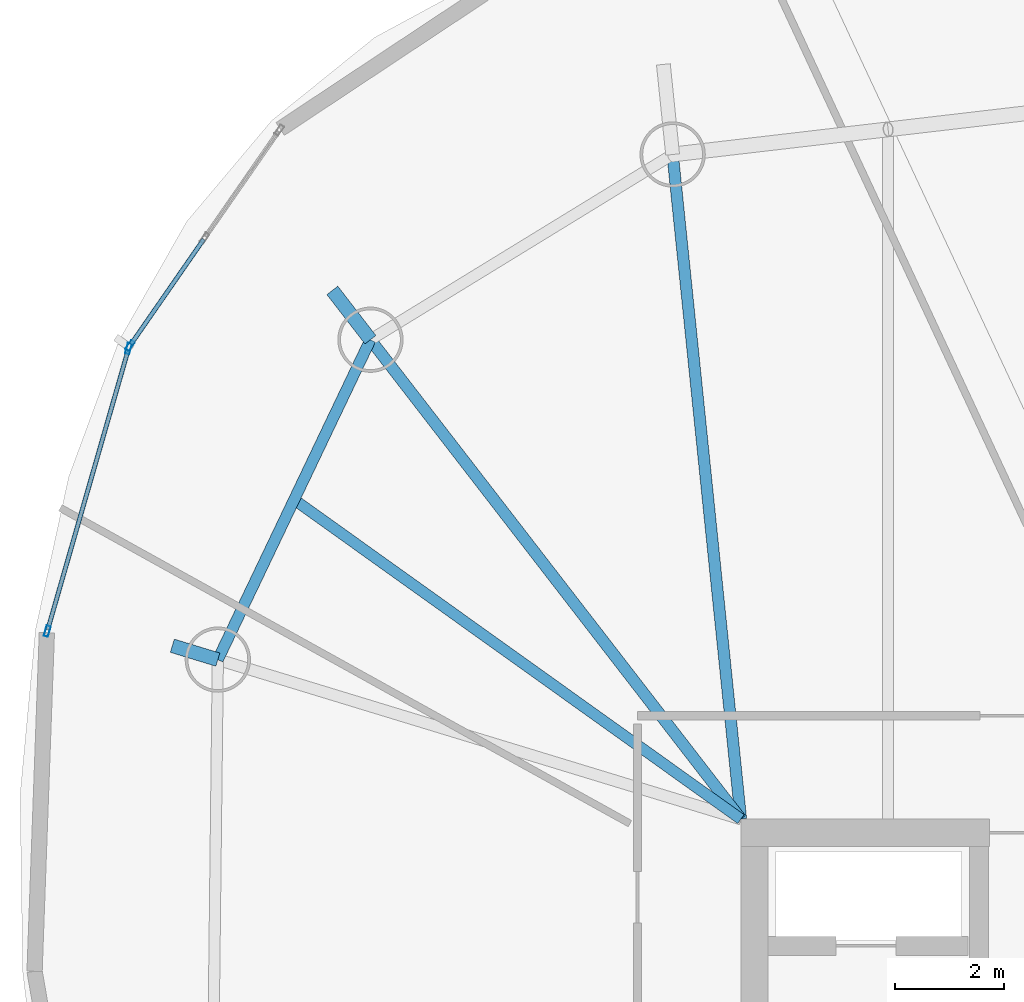
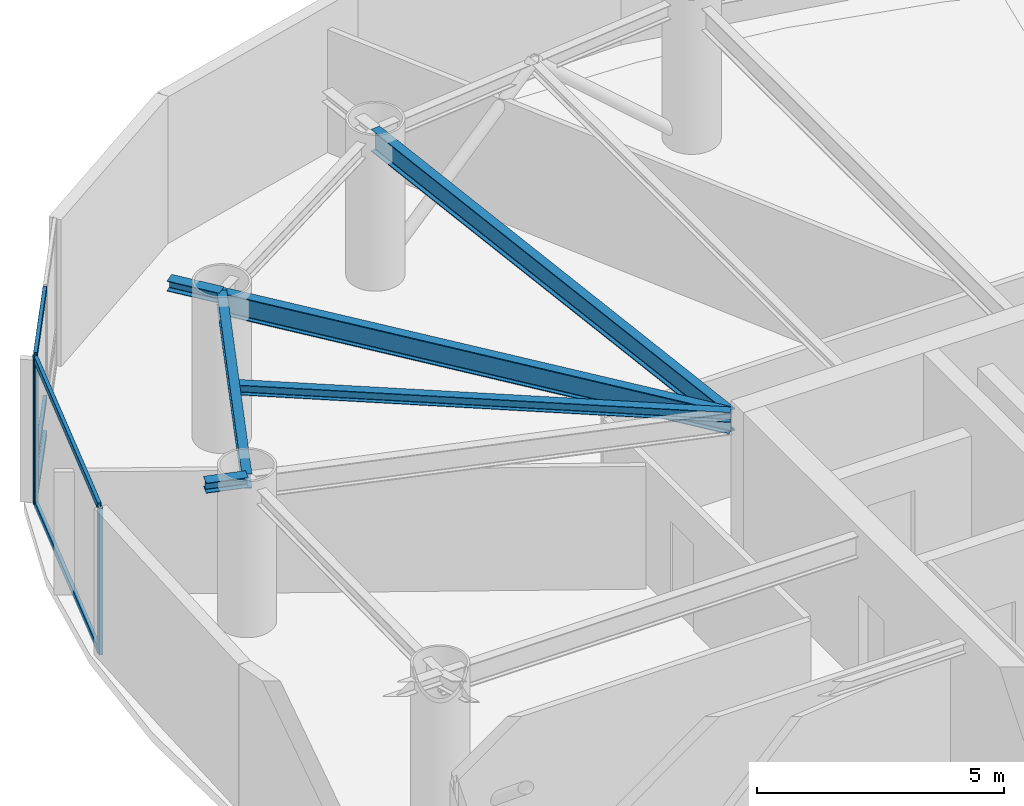
# One storey, part 9 of 22: 8 members, 6 beams, 2 elements without a shape of their own.
"""IFC4 building model written with IfcOpenShell, lengths in metres."""

from ifc_helpers import new_model, si_unit, direction, frame, origin, origin_2d, place, context, subcontext, project, spatial, hollow_rectangle, i_section, extrude, material, layer, layer_set, material_profile, profile_set, type_object, element, aggregate, save


model = new_model("IFC4")

# Units and contexts
model_context = context("Model", 3, precision=1e-05, world=origin(), true_north=direction((0.0, 1.0)))
body_context = subcontext(model_context, "Body", "Model", "MODEL_VIEW")
ifc_project = project(units=[si_unit("LENGTHUNIT", "METRE"), si_unit("AREAUNIT", "SQUARE_METRE"), si_unit("VOLUMEUNIT", "CUBIC_METRE"), si_unit("PLANEANGLEUNIT", "RADIAN"), si_unit("MASSUNIT", "GRAM", prefix="KILO")], contexts=[model_context])

# Site, building, storey
site_placement = place(None, origin())
site = spatial("IfcSite", under=ifc_project, at=site_placement, CompositionType="ELEMENT")
building_placement = place(site_placement, origin())
building = spatial("IfcBuilding", under=site, at=building_placement, Name="Bramvorn Convention Spire", CompositionType="ELEMENT")
storey_placement = place(building_placement, frame((0.0, 0.0, 213.550048828125)))
storey = spatial("IfcBuildingStorey", under=building, at=storey_placement, Name="L54", CompositionType="ELEMENT", Elevation=213.550048828125)

# Beams
ifc_material_1 = material(Name="Steel CSA G40.21 Grade 350 (350W)", Category="steel")
ifc_material_profile_1 = material_profile(ifc_material_1, i_section(OverallWidth=0.201904296875, OverallDepth=0.2470703125, WebThickness=0.00732421875, FlangeThickness=0.010986328125, FilletRadius=0.011962890625, at=origin_2d()))
ifc_profile_set_1 = profile_set([ifc_material_profile_1], Name="Steel CSA G40.21 Grade 350 (350W) - W250X49")
beam_type_1 = type_object("IfcBeamType", Name="BM-W250X49", PredefinedType="JOIST", material=ifc_profile_set_1)
beam_1_placement = place(storey_placement, frame((26.75, 33.449951171875, 3.496337890625), z_axis=(-0.813471895271, 0.581604225916, 0.0), x_axis=(-0.581604225916, -0.813471895271, 0.0)))
element("IfcBeam", 1, at=beam_1_placement, inside=storey, type_object=beam_type_1, Name="L54 composite floor joist 09", PredefinedType="JOIST", context=body_context, shape_type="SweptSolid", body=[
    extrude(i_section(OverallWidth=0.201904296875, OverallDepth=0.2470703125, WebThickness=0.00732421875, FlangeThickness=0.010986328125, FilletRadius=0.011962890625, at=origin_2d()), origin(), (0.0, 0.0, 1.0), 10.093505859375),
])
ifc_material_profile_2 = material_profile(ifc_material_1, i_section(OverallWidth=0.25390625, OverallDepth=0.2529296875, WebThickness=0.008544921875, FlangeThickness=0.01416015625, FilletRadius=0.011962890625, at=origin_2d()))
ifc_profile_set_2 = profile_set([ifc_material_profile_2], Name="Steel CSA G40.21 Grade 350 (350W) - W250X73")
beam_type_2 = type_object("IfcBeamType", Name="BM-W250X73", PredefinedType="BEAM", material=ifc_profile_set_2)
beam_2_placement = place(storey_placement, frame((19.941650390625, 42.260009765625, 3.493408203125), z_axis=(-0.611429304737, 0.791299061865, 0.0), x_axis=(-0.791299061865, -0.611429304737, 0.0)))
element("IfcBeam", 2, at=beam_2_placement, inside=storey, type_object=beam_type_2, Name="L54 slab-edge cantilever tip beam MC09", PredefinedType="BEAM", context=body_context, shape_type="SweptSolid", body=[
    extrude(i_section(OverallWidth=0.25390625, OverallDepth=0.2529296875, WebThickness=0.008544921875, FlangeThickness=0.01416015625, FilletRadius=0.011962890625, at=origin_2d()), origin(), (0.0, 0.0, 1.0), 1.1455078125),
])
beam_3_placement = place(storey_placement, frame((17.136962890625, 36.380615234375, 3.493408203125), z_axis=(-0.956548645645, 0.291572784249, 0.0), x_axis=(-0.291572784249, -0.956548645645, 0.0)))
element("IfcBeam", 3, at=beam_3_placement, inside=storey, type_object=beam_type_2, Name="L54 slab-edge cantilever tip beam MC10", PredefinedType="BEAM", context=body_context, shape_type="SweptSolid", body=[
    extrude(i_section(OverallWidth=0.25390625, OverallDepth=0.2529296875, WebThickness=0.008544921875, FlangeThickness=0.01416015625, FilletRadius=0.011962890625, at=origin_2d()), origin(), (0.0, 0.0, 1.0), 0.874267578125),
])
ifc_material_profile_3 = material_profile(ifc_material_1, i_section(OverallWidth=0.205078125, OverallDepth=0.35400390625, WebThickness=0.009521484375, FlangeThickness=0.016845703125, FilletRadius=0.014892578125, at=origin_2d()))
ifc_profile_set_3 = profile_set([ifc_material_profile_3], Name="Steel CSA G40.21 Grade 350 (350W) - W360X79")
beam_type_3 = type_object("IfcBeamType", Name="BM-W360X79", PredefinedType="JOIST", material=ifc_profile_set_3)
beam_4_placement = place(storey_placement, frame((19.941650390625, 42.260009765625, 3.44287109375), z_axis=(-0.430556138422, -0.902563799223, 0.0), x_axis=(0.902563799223, -0.430556138422, 0.0)))
element("IfcBeam", 4, at=beam_4_placement, inside=storey, type_object=beam_type_3, Name="L54 mega-column ring beam 09", PredefinedType="JOIST", context=body_context, shape_type="SweptSolid", body=[
    extrude(i_section(OverallWidth=0.205078125, OverallDepth=0.35400390625, WebThickness=0.009521484375, FlangeThickness=0.016845703125, FilletRadius=0.014892578125, at=origin_2d()), origin(), (0.0, 0.0, 1.0), 6.51416015625),
])
ifc_material_profile_4 = material_profile(ifc_material_1, i_section(OverallWidth=0.2119140625, OverallDepth=0.5439453125, WebThickness=0.01318359375, FlangeThickness=0.021240234375, FilletRadius=0.01904296875, at=origin_2d()))
ifc_profile_set_4 = profile_set([ifc_material_profile_4], Name="Steel CSA G40.21 Grade 350 (350W) - W530X123")
beam_type_4 = type_object("IfcBeamType", Name="BM-W530X123", PredefinedType="BEAM", material=ifc_profile_set_4)
beam_5_placement = place(storey_placement, frame((26.75, 33.449951171875, 3.347900390625), z_axis=(-0.10216509146, 0.994767457292, 0.0), x_axis=(-0.994767457292, -0.10216509146, 0.0)))
element("IfcBeam", 5, at=beam_5_placement, inside=storey, type_object=beam_type_4, Name="L54 radial floor girder MC08", PredefinedType="BEAM", context=body_context, shape_type="SweptSolid", body=[
    extrude(i_section(OverallWidth=0.2119140625, OverallDepth=0.5439453125, WebThickness=0.01318359375, FlangeThickness=0.021240234375, FilletRadius=0.01904296875, at=origin_2d()), origin(), (0.0, 0.0, 1.0), 12.278076171875),
])
beam_6_placement = place(storey_placement, frame((26.75, 33.449951171875, 3.347900390625), z_axis=(-0.611479951477, 0.791259925019, 0.0), x_axis=(-0.791259925019, -0.611479951477, 0.0)))
element("IfcBeam", 6, at=beam_6_placement, inside=storey, type_object=beam_type_4, Name="L54 radial floor girder MC09", PredefinedType="BEAM", context=body_context, shape_type="SweptSolid", body=[
    extrude(i_section(OverallWidth=0.2119140625, OverallDepth=0.5439453125, WebThickness=0.01318359375, FlangeThickness=0.021240234375, FilletRadius=0.01904296875, at=origin_2d()), origin(), (0.0, 0.0, 1.0), 11.13427734375),
])

# Curtain wall, member
ifc_material_2 = material(Name="Anodised Bronze Unitised Curtain Wall", Category="aluminium")
ifc_layer = layer(ifc_material_2, 0.179931640625)
ifc_layer_set = layer_set([ifc_layer], Name="Anodised Bronze Unitised Curtain Wall - CW-OFF-FRIT")
curtain_wall_type = type_object("IfcCurtainWallType", Name="CW-OFF-FRIT", PredefinedType="USERDEFINED", material=ifc_layer_set)
curtain_wall_1_placement = place(storey_placement, origin())
curtain_wall_1 = element("IfcCurtainWall", 7, at=curtain_wall_1_placement, inside=storey, type_object=curtain_wall_type, Name="L54 fritted glass curtain wall 13", ObjectType="UNITISED CURTAIN WALL", PredefinedType="USERDEFINED")
ifc_material_3 = material(Name="Anodised Bronze Aluminium 6063-T6", Category="aluminium")
ifc_material_profile_5 = material_profile(ifc_material_3, hollow_rectangle(XDim=0.080078125, YDim=0.199951171875, WallThickness=0.00390625, InnerFilletRadius=0.0009765625, OuterFilletRadius=0.00390625, at=origin_2d()))
ifc_profile_set_5 = profile_set([ifc_material_profile_5], Name="Anodised Bronze Aluminium 6063-T6 - CWM80X200")
member_type_1 = type_object("IfcMemberType", Name="CW-MUL-180", PredefinedType="MULLION", material=ifc_profile_set_5)
member_1_placement = place(storey_placement, frame((15.522216796875, 42.151123046875, 0.0), z_axis=(0.0, 0.0, 1.0), x_axis=(-0.821813279113, 0.569756908053, 0.0)))
member_1 = element("IfcMember", 8, at=member_1_placement, type_object=member_type_1, Name="CW3 mullion 1", PredefinedType="MULLION", context=body_context, shape_type="SweptSolid", body=[
    extrude(hollow_rectangle(XDim=0.080078125, YDim=0.199951171875, WallThickness=0.00390625, InnerFilletRadius=0.0009765625, OuterFilletRadius=0.00390625, at=origin_2d()), origin(), (0.0, 0.0, 1.0), 3.619873046875),
])

# Curtain wall, members
curtain_wall_2_placement = place(storey_placement, origin())
curtain_wall_2 = element("IfcCurtainWall", 9, at=curtain_wall_2_placement, inside=storey, type_object=curtain_wall_type, Name="L54 fritted glass curtain wall 14", ObjectType="UNITISED CURTAIN WALL", PredefinedType="USERDEFINED")
member_2_placement = place(storey_placement, frame((14.0029296875, 36.903564453125, 0.0), z_axis=(0.0, 0.0, 1.0), x_axis=(-0.961036981373, 0.276419826411, 0.0)))
member_2 = element("IfcMember", 10, at=member_2_placement, type_object=member_type_1, Name="CW3 mullion 1", PredefinedType="MULLION", context=body_context, shape_type="SweptSolid", body=[
    extrude(hollow_rectangle(XDim=0.080078125, YDim=0.199951171875, WallThickness=0.00390625, InnerFilletRadius=0.0009765625, OuterFilletRadius=0.00390625, at=origin_2d()), origin(), (0.0, 0.0, 1.0), 3.619873046875),
])
member_3_placement = place(storey_placement, frame((15.496826171875, 42.09765625, 0.0), z_axis=(0.0, 0.0, 1.0), x_axis=(-0.961036981373, 0.276419826411, 0.0)))
member_3 = element("IfcMember", 11, at=member_3_placement, type_object=member_type_1, Name="CW3 mullion 2", PredefinedType="MULLION", context=body_context, shape_type="SweptSolid", body=[
    extrude(hollow_rectangle(XDim=0.080078125, YDim=0.199951171875, WallThickness=0.00390625, InnerFilletRadius=0.0009765625, OuterFilletRadius=0.00390625, at=origin_2d()), origin(), (0.0, 0.0, 1.0), 3.619873046875),
])

# Member
ifc_material_profile_6 = material_profile(ifc_material_3, hollow_rectangle(XDim=0.080078125, YDim=0.159912109375, WallThickness=0.00390625, InnerFilletRadius=0.0009765625, OuterFilletRadius=0.00390625, at=origin_2d()))
ifc_profile_set_6 = profile_set([ifc_material_profile_6], Name="Anodised Bronze Aluminium 6063-T6 - CWT80X160")
member_type_2 = type_object("IfcMemberType", Name="CW-TRN-150", PredefinedType="USERDEFINED", material=ifc_profile_set_6)
member_4_placement = place(storey_placement, frame((15.539306640625, 42.17578125, 0.030029296875), z_axis=(0.569772131795, 0.821802724399, 0.0), x_axis=(-0.821802724399, 0.569772131795, 0.0)))
member_4 = element("IfcMember", 12, at=member_4_placement, type_object=member_type_2, Name="CW3 transom 1.1", ObjectType="TRANSOM", PredefinedType="USERDEFINED", context=body_context, shape_type="SweptSolid", body=[
    extrude(hollow_rectangle(XDim=0.080078125, YDim=0.159912109375, WallThickness=0.00390625, InnerFilletRadius=0.0009765625, OuterFilletRadius=0.00390625, at=origin_2d()), origin(), (0.0, 0.0, 1.0), 2.34814453125),
])

member_5_placement = place(storey_placement, frame((15.539306640625, 42.17578125, 0.89990234375), z_axis=(0.569772131795, 0.821802724399, 0.0), x_axis=(-0.821802724399, 0.569772131795, 0.0)))
member_5 = element("IfcMember", 13, at=member_5_placement, type_object=member_type_2, Name="CW3 transom 1.2", ObjectType="TRANSOM", PredefinedType="USERDEFINED", context=body_context, shape_type="SweptSolid", body=[
    extrude(hollow_rectangle(XDim=0.080078125, YDim=0.159912109375, WallThickness=0.00390625, InnerFilletRadius=0.0009765625, OuterFilletRadius=0.00390625, at=origin_2d()), origin(), (0.0, 0.0, 1.0), 2.34814453125),
])

member_6_placement = place(storey_placement, frame((15.539306640625, 42.17578125, 3.58984375), z_axis=(0.569772131795, 0.821802724399, 0.0), x_axis=(-0.821802724399, 0.569772131795, 0.0)))
member_6 = element("IfcMember", 14, at=member_6_placement, type_object=member_type_2, Name="CW3 transom 1.3", ObjectType="TRANSOM", PredefinedType="USERDEFINED", context=body_context, shape_type="SweptSolid", body=[
    extrude(hollow_rectangle(XDim=0.080078125, YDim=0.159912109375, WallThickness=0.00390625, InnerFilletRadius=0.0009765625, OuterFilletRadius=0.00390625, at=origin_2d()), origin(), (0.0, 0.0, 1.0), 2.34814453125),
])

aggregate(curtain_wall_1, [member_1, member_4, member_5, member_6])

member_7_placement = place(storey_placement, frame((14.01123046875, 36.932373046875, 0.030029296875), z_axis=(0.27640393688, 0.961041551483, 0.0), x_axis=(-0.961041551483, 0.27640393688, 0.0)))
member_7 = element("IfcMember", 15, at=member_7_placement, type_object=member_type_2, Name="CW3 transom 1.1", ObjectType="TRANSOM", PredefinedType="USERDEFINED", context=body_context, shape_type="SweptSolid", body=[
    extrude(hollow_rectangle(XDim=0.080078125, YDim=0.159912109375, WallThickness=0.00390625, InnerFilletRadius=0.0009765625, OuterFilletRadius=0.00390625, at=origin_2d()), origin(), (0.0, 0.0, 1.0), 5.3447265625),
])

member_8_placement = place(storey_placement, frame((14.01123046875, 36.932373046875, 3.58984375), z_axis=(0.27640393688, 0.961041551483, 0.0), x_axis=(-0.961041551483, 0.27640393688, 0.0)))
member_8 = element("IfcMember", 16, at=member_8_placement, type_object=member_type_2, Name="CW3 transom 1.2", ObjectType="TRANSOM", PredefinedType="USERDEFINED", context=body_context, shape_type="SweptSolid", body=[
    extrude(hollow_rectangle(XDim=0.080078125, YDim=0.159912109375, WallThickness=0.00390625, InnerFilletRadius=0.0009765625, OuterFilletRadius=0.00390625, at=origin_2d()), origin(), (0.0, 0.0, 1.0), 5.3447265625),
])

aggregate(curtain_wall_2, [member_2, member_3, member_7, member_8])

save(model, "model.ifc")
